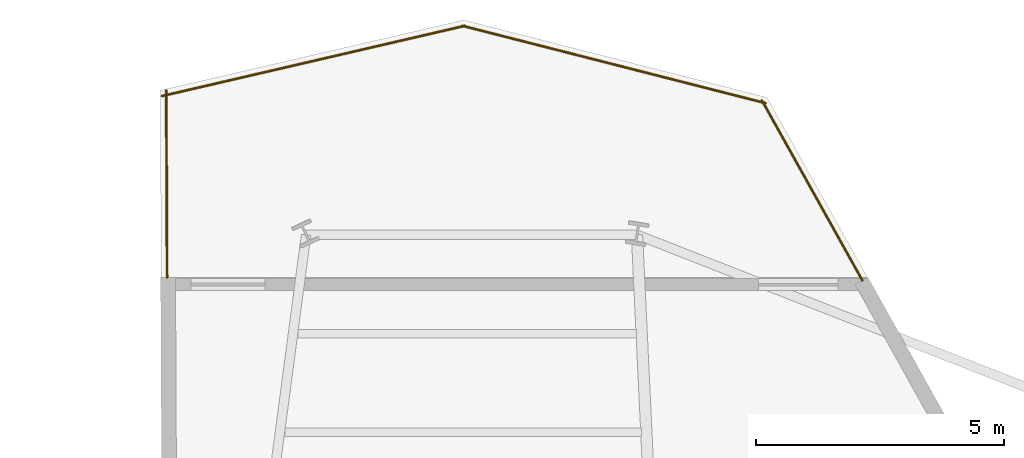
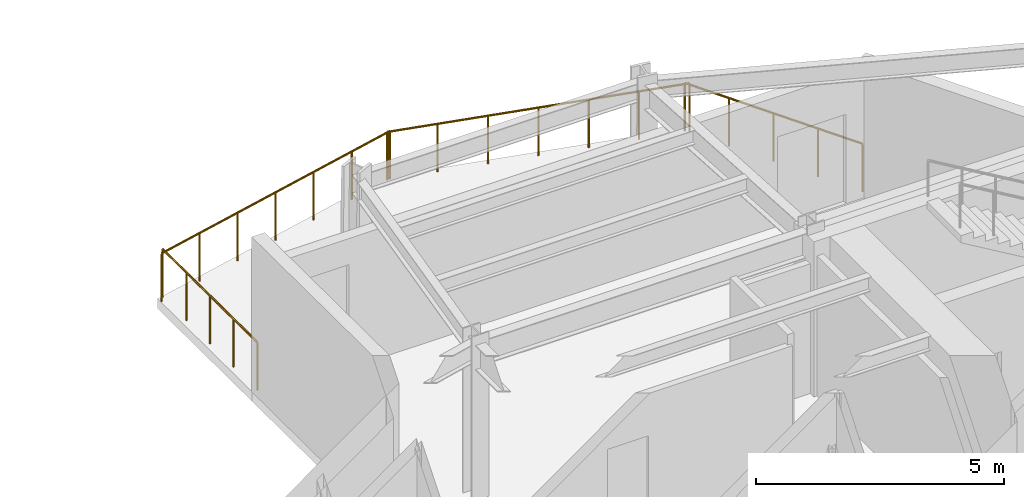
# One storey, part 23 of 23: 4 railings.
"""IFC4 building model written with IfcOpenShell, lengths in metres."""

from ifc_helpers import new_model, si_unit, direction, frame, origin, origin_2d, place, context, subcontext, project, spatial, circle, extrude, material, type_object, element, save


model = new_model("IFC4")

# Units and contexts
model_context = context("Model", 3, precision=1e-05, world=origin(), true_north=direction((0.0, 1.0)))
body_context = subcontext(model_context, "Body", "Model", "MODEL_VIEW")
ifc_project = project(units=[si_unit("LENGTHUNIT", "METRE"), si_unit("AREAUNIT", "SQUARE_METRE"), si_unit("VOLUMEUNIT", "CUBIC_METRE"), si_unit("PLANEANGLEUNIT", "RADIAN"), si_unit("MASSUNIT", "GRAM", prefix="KILO")], contexts=[model_context])

# Site, building, storey
site_placement = place(None, origin())
site = spatial("IfcSite", under=ifc_project, at=site_placement, CompositionType="ELEMENT")
building_placement = place(site_placement, origin())
building = spatial("IfcBuilding", under=site, at=building_placement, Name="Veymaron Broadcast Tower", CompositionType="ELEMENT")
storey_placement = place(building_placement, frame((0.0, 0.0, 161.39990234375)))
storey = spatial("IfcBuildingStorey", under=building, at=storey_placement, Name="L37", CompositionType="ELEMENT", Elevation=161.39990234375)

# Railings
ifc_material = material(Name="Laminated structural sentry-glass and stainless steel AISI 316L", Category="steel")
railing_type = type_object("IfcRailingType", Name="RAIL-TERR-1200", PredefinedType="GUARDRAIL", material=ifc_material)
railing_1_placement = place(storey_placement, frame((43.255126953125, 37.3076171875, 0.0)))
element("IfcRailing", 1, at=railing_1_placement, inside=storey, type_object=railing_type, Name="L37 sky-terrace perimeter guardrail 2", PredefinedType="GUARDRAIL", context=body_context, shape_type="SweptSolid", body=[
    extrude(circle(Radius=0.02392578125, at=origin_2d()), frame((0.0, 0.0, 1.17578125), z_axis=(-0.487239374666, 0.873268453441, 0.0), x_axis=(-0.873268453441, -0.487239374666, 0.0)), (0.0, 0.0, 1.0), 4.165771484375),
    extrude(circle(Radius=0.02099609375, at=origin_2d()), origin(), (0.0, 0.0, 1.0), 1.15185546875),
    extrude(circle(Radius=0.02099609375, at=origin_2d()), frame((-0.50732421875, 0.909423828125, 0.0)), (0.0, 0.0, 1.0), 1.15185546875),
    extrude(circle(Radius=0.02099609375, at=origin_2d()), frame((-1.014892578125, 1.81884765625, 0.0)), (0.0, 0.0, 1.0), 1.15185546875),
    extrude(circle(Radius=0.02099609375, at=origin_2d()), frame((-1.5224609375, 2.728515625, 0.0)), (0.0, 0.0, 1.0), 1.15185546875),
    extrude(circle(Radius=0.02099609375, at=origin_2d()), frame((-2.02978515625, 3.637939453125, 0.0)), (0.0, 0.0, 1.0), 1.15185546875),
])
railing_2_placement = place(storey_placement, frame((41.300537109375, 40.8876953125, 0.0)))
element("IfcRailing", 2, at=railing_2_placement, inside=storey, type_object=railing_type, Name="L37 sky-terrace perimeter guardrail 3", PredefinedType="GUARDRAIL", context=body_context, shape_type="SweptSolid", body=[
    extrude(circle(Radius=0.02392578125, at=origin_2d()), frame((0.0, 0.0, 1.17578125), z_axis=(-0.968979537422, 0.24714096394, 0.0), x_axis=(-0.24714096394, -0.968979537422, 0.0)), (0.0, 0.0, 1.0), 6.3203125),
    extrude(circle(Radius=0.02099609375, at=origin_2d()), origin(), (0.0, 0.0, 1.0), 1.15185546875),
    extrude(circle(Radius=0.02099609375, at=origin_2d()), frame((-1.020751953125, 0.26025390625, 0.0)), (0.0, 0.0, 1.0), 1.15185546875),
    extrude(circle(Radius=0.02099609375, at=origin_2d()), frame((-2.04150390625, 0.520751953125, 0.0)), (0.0, 0.0, 1.0), 1.15185546875),
    extrude(circle(Radius=0.02099609375, at=origin_2d()), frame((-3.06201171875, 0.781005859375, 0.0)), (0.0, 0.0, 1.0), 1.15185546875),
    extrude(circle(Radius=0.02099609375, at=origin_2d()), frame((-4.082763671875, 1.041259765625, 0.0)), (0.0, 0.0, 1.0), 1.15185546875),
    extrude(circle(Radius=0.02099609375, at=origin_2d()), frame((-5.103515625, 1.3017578125, 0.0)), (0.0, 0.0, 1.0), 1.15185546875),
    extrude(circle(Radius=0.02099609375, at=origin_2d()), frame((-6.124267578125, 1.56201171875, 0.0)), (0.0, 0.0, 1.0), 1.15185546875),
])
railing_3_placement = place(storey_placement, frame((35.233154296875, 42.44921875, 0.0)))
element("IfcRailing", 3, at=railing_3_placement, inside=storey, type_object=railing_type, Name="L37 sky-terrace perimeter guardrail 4", PredefinedType="GUARDRAIL", context=body_context, shape_type="SweptSolid", body=[
    extrude(circle(Radius=0.02392578125, at=origin_2d()), frame((0.0, 0.0, 1.17578125), z_axis=(-0.974151093658, -0.225897425227, 0.0), x_axis=(0.225897425227, -0.974151093658, 0.0)), (0.0, 0.0, 1.0), 6.286865234375),
    extrude(circle(Radius=0.02099609375, at=origin_2d()), origin(), (0.0, 0.0, 1.0), 1.15185546875),
    extrude(circle(Radius=0.02099609375, at=origin_2d()), frame((-1.020751953125, -0.23681640625, 0.0)), (0.0, 0.0, 1.0), 1.15185546875),
    extrude(circle(Radius=0.02099609375, at=origin_2d()), frame((-2.04150390625, -0.473388671875, 0.0)), (0.0, 0.0, 1.0), 1.15185546875),
    extrude(circle(Radius=0.02099609375, at=origin_2d()), frame((-3.06201171875, -0.7099609375, 0.0)), (0.0, 0.0, 1.0), 1.15185546875),
    extrude(circle(Radius=0.02099609375, at=origin_2d()), frame((-4.082763671875, -0.94677734375, 0.0)), (0.0, 0.0, 1.0), 1.15185546875),
    extrude(circle(Radius=0.02099609375, at=origin_2d()), frame((-5.103515625, -1.18359375, 0.0)), (0.0, 0.0, 1.0), 1.15185546875),
    extrude(circle(Radius=0.02099609375, at=origin_2d()), frame((-6.124267578125, -1.420166015625, 0.0)), (0.0, 0.0, 1.0), 1.15185546875),
])
railing_4_placement = place(storey_placement, frame((29.201904296875, 41.146484375, 0.0)))
element("IfcRailing", 4, at=railing_4_placement, inside=storey, type_object=railing_type, Name="L37 sky-terrace perimeter guardrail 5", PredefinedType="GUARDRAIL", context=body_context, shape_type="SweptSolid", body=[
    extrude(circle(Radius=0.02392578125, at=origin_2d()), frame((0.0, 0.0, 1.17578125), z_axis=(0.004585922581, -0.999989484602, 0.0), x_axis=(0.999989484602, 0.004585922581, 0.0)), (0.0, 0.0, 1.0), 3.77978515625),
    extrude(circle(Radius=0.02099609375, at=origin_2d()), origin(), (0.0, 0.0, 1.0), 1.15185546875),
    extrude(circle(Radius=0.02099609375, at=origin_2d()), frame((0.00439453125, -0.94482421875, 0.0)), (0.0, 0.0, 1.0), 1.15185546875),
    extrude(circle(Radius=0.02099609375, at=origin_2d()), frame((0.0087890625, -1.889892578125, 0.0)), (0.0, 0.0, 1.0), 1.15185546875),
    extrude(circle(Radius=0.02099609375, at=origin_2d()), frame((0.012939453125, -2.8349609375, 0.0)), (0.0, 0.0, 1.0), 1.15185546875),
    extrude(circle(Radius=0.02099609375, at=origin_2d()), frame((0.017333984375, -3.77978515625, 0.0)), (0.0, 0.0, 1.0), 1.15185546875),
])

save(model, "model.ifc")
